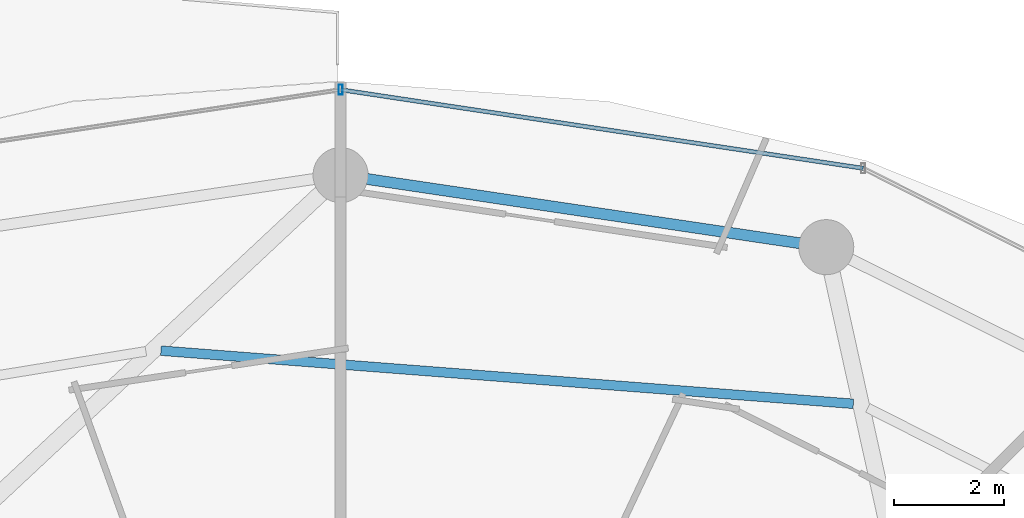
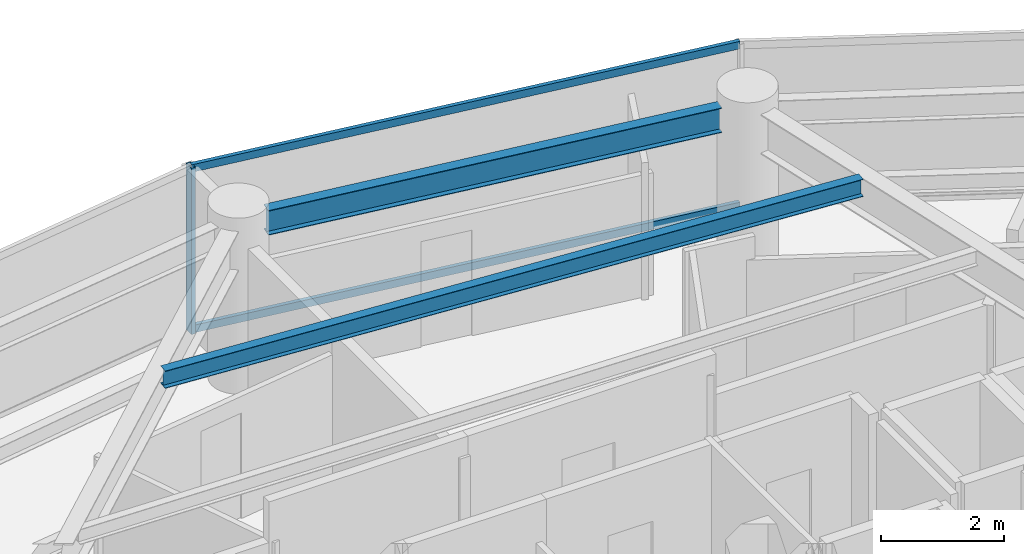
# One storey, part 19 of 31: 3 members, 2 beams, 1 element without a shape of its own.
"""IFC4 building model written with IfcOpenShell, lengths in metres."""

from ifc_helpers import new_model, si_unit, direction, frame, origin, origin_2d, place, context, subcontext, project, spatial, hollow_rectangle, i_section, extrude, material, material_profile, profile_set, type_object, element, aggregate, save


model = new_model("IFC4")

# Units and contexts
model_context = context("Model", 3, precision=1e-05, world=origin(), true_north=direction((0.0, 1.0)))
body_context = subcontext(model_context, "Body", "Model", "MODEL_VIEW")
ifc_project = project(units=[si_unit("LENGTHUNIT", "METRE"), si_unit("AREAUNIT", "SQUARE_METRE"), si_unit("VOLUMEUNIT", "CUBIC_METRE"), si_unit("PLANEANGLEUNIT", "RADIAN"), si_unit("MASSUNIT", "GRAM", prefix="KILO")], contexts=[model_context])

# Site, building, storey
site_placement = place(None, origin())
site = spatial("IfcSite", under=ifc_project, at=site_placement, CompositionType="ELEMENT")
building_placement = place(site_placement, origin())
building = spatial("IfcBuilding", under=site, at=building_placement, Name="Vorneva Point Tower", CompositionType="ELEMENT")
storey_placement = place(building_placement, frame((0.0, 0.0, 129.10009765625)))
storey = spatial("IfcBuildingStorey", under=building, at=storey_placement, Name="L34", CompositionType="ELEMENT", Elevation=129.10009765625)

# Beams
ifc_material_1 = material(Name="Steel S355", Category="steel")
ifc_material_profile_1 = material_profile(ifc_material_1, i_section(OverallWidth=0.174072265625, OverallDepth=0.345947265625, WebThickness=0.006103515625, FlangeThickness=0.009033203125, at=origin_2d()), Name="35B1")
ifc_profile_set_1 = profile_set([ifc_material_profile_1], Name="Steel S355")
beam_type_1 = type_object("IfcBeamType", Name="BM-SEC-35B1", PredefinedType="BEAM", material=ifc_profile_set_1)
beam_1_placement = place(storey_placement, frame((47.313720703125, 39.045166015625, 3.06689453125), z_axis=(-0.997065519462, 0.076552922221, 0.0), x_axis=(-0.076552922221, -0.997065519462, 0.0)))
element("IfcBeam", 1, at=beam_1_placement, inside=storey, type_object=beam_type_1, Name="L34 Secondary Floor Beam 1.04", PredefinedType="BEAM", context=body_context, shape_type="SweptSolid", body=[
    extrude(i_section(OverallWidth=0.174072265625, OverallDepth=0.345947265625, WebThickness=0.006103515625, FlangeThickness=0.009033203125, at=origin_2d()), origin(), (0.0, 0.0, 1.0), 12.61328125),
])
ifc_material_profile_2 = material_profile(ifc_material_1, i_section(OverallWidth=0.199951171875, OverallDepth=0.491943359375, WebThickness=0.0087890625, FlangeThickness=0.011962890625, at=origin_2d()), Name="50B1")
ifc_profile_set_2 = profile_set([ifc_material_profile_2], Name="Steel S355")
beam_type_2 = type_object("IfcBeamType", Name="BM-SPN-50B1", PredefinedType="SPANDREL", material=ifc_profile_set_2)
beam_2_placement = place(storey_placement, frame((46.34130859375, 41.9619140625, 2.993896484375), z_axis=(-0.989161199046, 0.146833655211, 0.0), x_axis=(-0.146833655211, -0.989161199046, 0.0)))
element("IfcBeam", 2, at=beam_2_placement, inside=storey, type_object=beam_type_2, Name="L34 Perimeter Spandrel Ring Beam 04", PredefinedType="SPANDREL", context=body_context, shape_type="SweptSolid", body=[
    extrude(i_section(OverallWidth=0.199951171875, OverallDepth=0.491943359375, WebThickness=0.0087890625, FlangeThickness=0.011962890625, at=origin_2d()), origin(), (0.0, 0.0, 1.0), 7.94775390625),
])

# Curtain wall, members
ifc_material_2 = material(Name="Pale anodised aluminium", Category="aluminium")
curtain_wall_type = type_object("IfcCurtainWallType", Name="CW-RES-SYS", PredefinedType="NOTDEFINED", material=ifc_material_2)
curtain_wall_placement = place(storey_placement, origin())
curtain_wall = element("IfcCurtainWall", 3, at=curtain_wall_placement, inside=storey, type_object=curtain_wall_type, Name="L34 Unitised Curtain Wall CW-L34-R02", PredefinedType="NOTDEFINED")
ifc_material_profile_3 = material_profile(ifc_material_2, hollow_rectangle(XDim=0.074951171875, YDim=0.179931640625, WallThickness=0.00390625, at=origin_2d()), Name="AL-MUL 180x75x4")
ifc_profile_set_3 = profile_set([ifc_material_profile_3], Name="Pale anodised aluminium")
member_type_1 = type_object("IfcMemberType", Name="CW-MUL-180", PredefinedType="MULLION", material=ifc_profile_set_3)
member_1_placement = place(storey_placement, frame((38.0, 44.75, -0.0400390625), z_axis=(0.0, 0.0, 1.0), x_axis=(1.0, 0.0, 0.0)))
member_1 = element("IfcMember", 4, at=member_1_placement, type_object=member_type_1, Name="CW-L34-R02 Mullion 03", PredefinedType="MULLION", context=body_context, shape_type="SweptSolid", body=[
    extrude(hollow_rectangle(XDim=0.074951171875, YDim=0.179931640625, WallThickness=0.00390625, at=origin_2d()), origin(), (0.0, 0.0, 1.0), 3.31005859375),
])
ifc_material_profile_4 = material_profile(ifc_material_2, hollow_rectangle(XDim=0.074951171875, YDim=0.14990234375, WallThickness=0.00390625, at=origin_2d()), Name="AL-TRN 150x75x4")
ifc_profile_set_4 = profile_set([ifc_material_profile_4], Name="Pale anodised aluminium")
member_type_2 = type_object("IfcMemberType", Name="CW-TRN-150", PredefinedType="USERDEFINED", material=ifc_profile_set_4)
member_2_placement = place(storey_placement, frame((47.490478515625, 43.32275390625, 0.02001953125), z_axis=(-0.988880117727, 0.148714870687, 0.0), x_axis=(-0.148714870687, -0.988880117727, 0.0)))
member_2 = element("IfcMember", 5, at=member_2_placement, type_object=member_type_2, Name="CW-L34-R02 Transom 02.1", ObjectType="TRANSOM", PredefinedType="USERDEFINED", context=body_context, shape_type="SweptSolid", body=[
    extrude(hollow_rectangle(XDim=0.074951171875, YDim=0.14990234375, WallThickness=0.00390625, at=origin_2d()), origin(), (0.0, 0.0, 1.0), 9.59716796875),
])
member_3_placement = place(storey_placement, frame((47.490478515625, 43.32275390625, 3.219970703125), z_axis=(-0.988880117727, 0.148714870687, 0.0), x_axis=(-0.148714870687, -0.988880117727, 0.0)))
member_3 = element("IfcMember", 6, at=member_3_placement, type_object=member_type_2, Name="CW-L34-R02 Transom 02.2", ObjectType="TRANSOM", PredefinedType="USERDEFINED", context=body_context, shape_type="SweptSolid", body=[
    extrude(hollow_rectangle(XDim=0.074951171875, YDim=0.14990234375, WallThickness=0.00390625, at=origin_2d()), origin(), (0.0, 0.0, 1.0), 9.59716796875),
])
aggregate(curtain_wall, [member_1, member_2, member_3])

save(model, "model.ifc")
